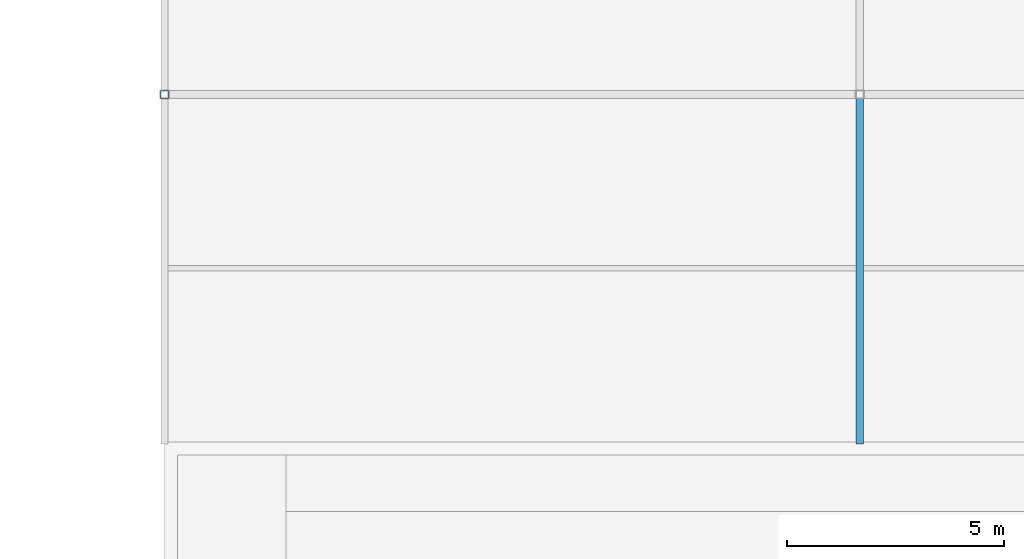
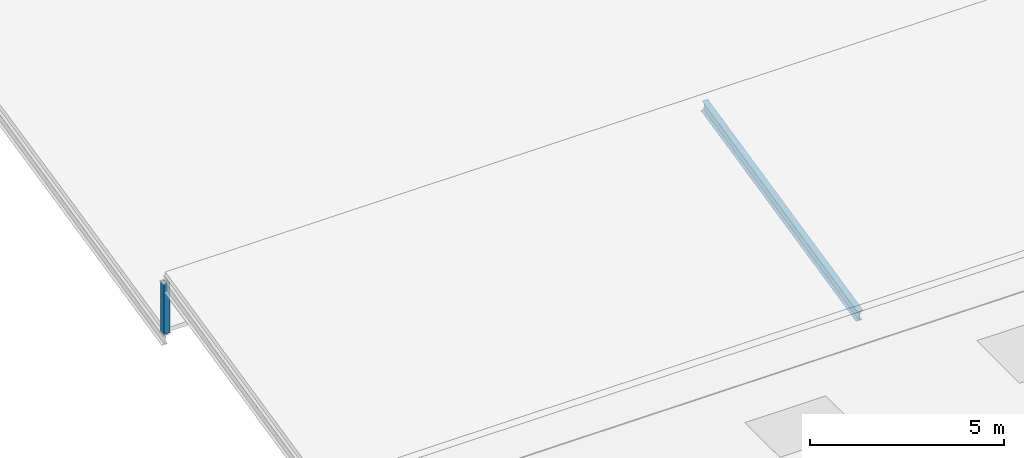
# One storey, part 10 of 31: 2 members.
"""IFC4 building model written with IfcOpenShell, lengths in metres."""

from ifc_helpers import new_model, si_unit, direction, frame, origin, origin_2d, place, context, subcontext, project, spatial, hollow_rectangle, i_section, extrude, material, material_profile, profile_set, type_object, element, save


model = new_model("IFC4")

# Units and contexts
model_context = context("Model", 3, precision=1e-05, world=origin(), true_north=direction((0.0, 1.0)))
body_context = subcontext(model_context, "Body", "Model", "MODEL_VIEW")
ifc_project = project(units=[si_unit("LENGTHUNIT", "METRE"), si_unit("AREAUNIT", "SQUARE_METRE"), si_unit("VOLUMEUNIT", "CUBIC_METRE"), si_unit("PLANEANGLEUNIT", "RADIAN"), si_unit("MASSUNIT", "GRAM", prefix="KILO")], contexts=[model_context])

# Site, building, storey
site_placement = place(None, origin())
site = spatial("IfcSite", under=ifc_project, at=site_placement, CompositionType="ELEMENT")
building_placement = place(site_placement, origin())
building = spatial("IfcBuilding", under=site, at=building_placement, Name="Celadon Cloister-Ring School", CompositionType="ELEMENT")
storey_placement = place(building_placement, frame((0.0, 0.0, 16.5)))
storey = spatial("IfcBuildingStorey", under=building, at=storey_placement, Name="L04", CompositionType="ELEMENT", Elevation=16.5)

# Members
ifc_material_1 = material(Name="Structural steel S355JR", Category="steel")
ifc_material_profile_1 = material_profile(ifc_material_1, hollow_rectangle(XDim=0.179931640625, YDim=0.179931640625, WallThickness=0.008056640625, at=origin_2d()), Name="HSS180X180X8")
ifc_profile_set_1 = profile_set([ifc_material_profile_1], Name="Structural steel S355JR")
member_type_1 = type_object("IfcMemberType", Name="MB-04", PredefinedType="BRACE", material=ifc_profile_set_1)
member_1_placement = place(storey_placement, frame((142.0, 48.0, -0.10009765625), z_axis=(0.0, 0.0, 1.0), x_axis=(1.0, 0.0, 0.0)))
element("IfcMember", 1, at=member_1_placement, inside=storey, type_object=member_type_1, Name="Structural Member 0588", PredefinedType="BRACE", context=body_context, shape_type="SweptSolid", body=[
    extrude(hollow_rectangle(XDim=0.179931640625, YDim=0.179931640625, WallThickness=0.008056640625, at=origin_2d()), origin(), (0.0, 0.0, 1.0), 1.567138671875),
])
ifc_material_2 = material(Name="Structural steel S355JR", Category="steel")
ifc_material_profile_2 = material_profile(ifc_material_2, i_section(OverallWidth=0.1708984375, OverallDepth=0.35498046875, WebThickness=0.007080078125, FlangeThickness=0.01171875, at=origin_2d()), Name="W360X51")
ifc_profile_set_2 = profile_set([ifc_material_profile_2], Name="Structural steel S355JR")
member_type_2 = type_object("IfcMemberType", Name="MR-05", PredefinedType="RAFTER", material=ifc_profile_set_2)
member_2_placement = place(storey_placement, frame((158.0, 40.0, -0.35302734375), z_axis=(0.0, 0.976128848743, 0.217192243536), x_axis=(-1.0, 0.0, 0.0)))
element("IfcMember", 2, at=member_2_placement, inside=storey, type_object=member_type_2, Name="Structural Member 0591", PredefinedType="RAFTER", context=body_context, shape_type="SweptSolid", body=[
    extrude(i_section(OverallWidth=0.1708984375, OverallDepth=0.35498046875, WebThickness=0.007080078125, FlangeThickness=0.01171875, at=origin_2d()), origin(), (0.0, 0.0, 1.0), 8.195556640625),
])

save(model, "model.ifc")
